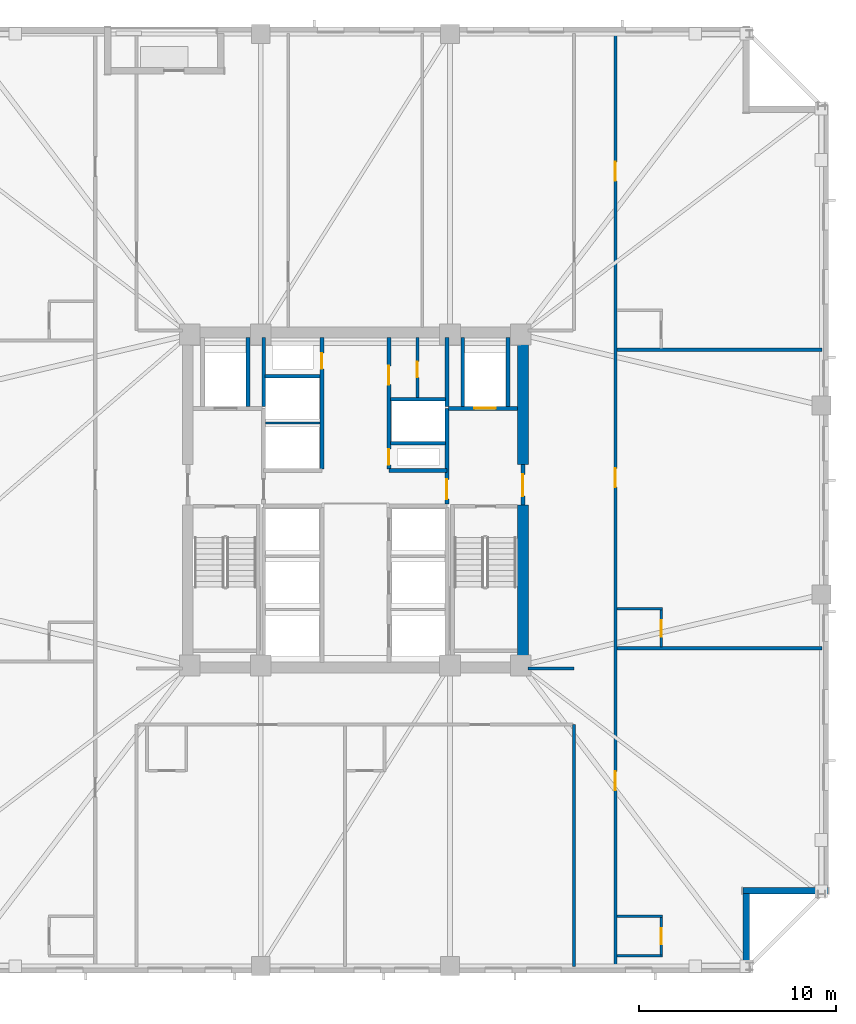
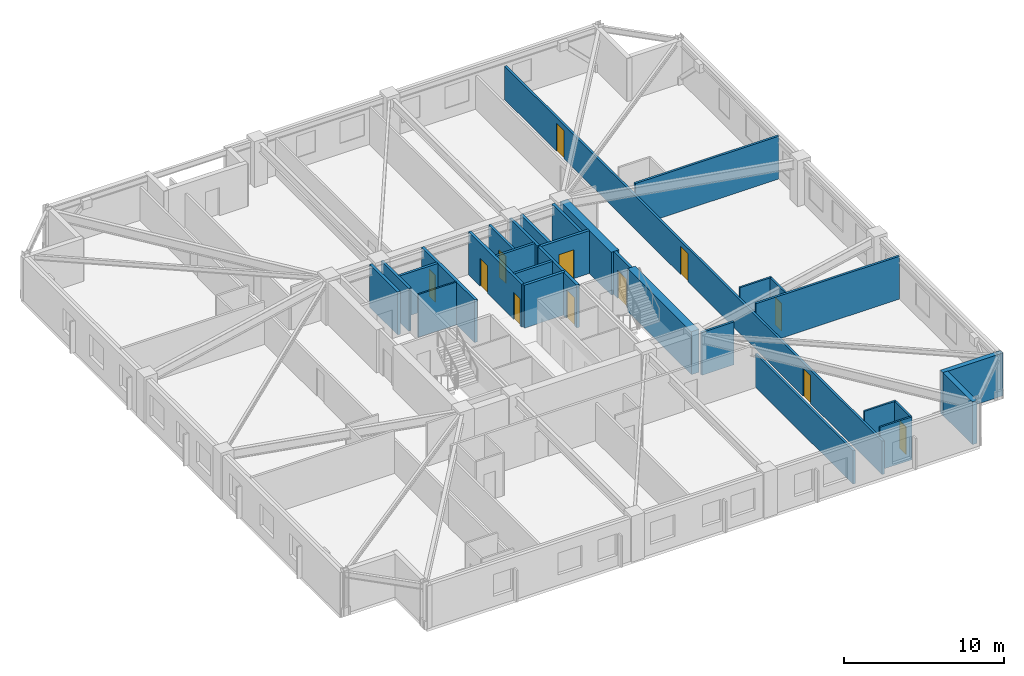
# One storey, part 4 of 11: 30 walls, 12 doors, 12 openings.
"""IFC4 building model written with IfcOpenShell, lengths in metres."""

from ifc_helpers import new_model, si_unit, direction, frame, frame_2d, origin, place, context, subcontext, project, spatial, rectangle, extrude, material, layer, layer_set, type_object, element, fill, save


model = new_model("IFC4")

# Units and contexts
model_context = context("Model", 3, precision=1e-05, world=origin(), true_north=direction((0.0, 1.0)))
body_context = subcontext(model_context, "Body", "Model", "MODEL_VIEW")
ifc_project = project(units=[si_unit("LENGTHUNIT", "METRE"), si_unit("AREAUNIT", "SQUARE_METRE"), si_unit("VOLUMEUNIT", "CUBIC_METRE"), si_unit("PLANEANGLEUNIT", "RADIAN"), si_unit("MASSUNIT", "GRAM", prefix="KILO")], contexts=[model_context])

# Site, building, storey
site_placement = place(None, origin())
site = spatial("IfcSite", under=ifc_project, at=site_placement, CompositionType="ELEMENT")
building_placement = place(site_placement, origin())
building = spatial("IfcBuilding", under=site, at=building_placement, Name="Cairnveth Concourse Tower", CompositionType="ELEMENT")
storey_placement = place(building_placement, frame((0.0, 0.0, 106.0)))
storey = spatial("IfcBuildingStorey", under=building, at=storey_placement, Name="L28", CompositionType="ELEMENT", Elevation=106.0)

# Wall, opening, door
ifc_material_1 = material(Name="Gypsum Plasterboard Partition", Category="gypsum")
ifc_layer_1 = layer(ifc_material_1, 0.159912109375)
ifc_layer_set_1 = layer_set([ifc_layer_1], Name="Gypsum Plasterboard Partition")
wall_type_1 = type_object("IfcWallType", Name="ACOUSTIC PARTY WALL 180", PredefinedType="PARTITIONING", material=ifc_layer_set_1)
wall_1_placement = place(storey_placement, frame((55.14990234375, 44.195068359375, 0.0), z_axis=(0.0, 0.0, 1.0), x_axis=(0.0, 1.0, 0.0)))
wall_1 = element("IfcWall", 1, at=wall_1_placement, inside=storey, type_object=wall_type_1, Name="Interior Wall IW-L28-037", PredefinedType="PARTITIONING", context=body_context, shape_type="SweptSolid", body=[
    extrude(rectangle(XDim=3.044921875, YDim=0.159912109375, at=frame_2d((1.5224609375, 0.0))), origin(), (0.0, 0.0, 1.0), 3.280029296875),
])
opening_1_placement = place(wall_1_placement, frame((1.02490234375, 0.0, 0.0)))
opening_1 = element("IfcOpeningElement", 2, at=opening_1_placement, cuts=wall_1, Name="Opening ID23", PredefinedType="OPENING", context=body_context, shape_type="SweptSolid", body=[
    extrude(rectangle(XDim=0.800048828125, YDim=2.10009765625, at=frame_2d((0.39990234375, 1.050048828125))), frame((0.0, 0.08984375, 0.0), z_axis=(0.0, -1.0, 0.0), x_axis=(1.0, 0.0, 0.0)), (0.0, 0.0, 1.0), 0.179931640625),
])
ifc_material_2 = material(Name="Steel Grade 350", Category="steel")
door_type_1 = type_object("IfcDoorType", Name="CORE SERVICE DOOR 800X2100", OperationType="NOTDEFINED", PredefinedType="DOOR", material=ifc_material_2)
door_1_placement = place(opening_1_placement, origin())
door_1 = element("IfcDoor", 3, at=door_1_placement, inside=storey, type_object=door_type_1, Name="NE Linen Closet Door L28", OperationType="SINGLE_SWING_LEFT", OverallHeight=2.10009765625, OverallWidth=0.800048828125, PredefinedType="DOOR", context=body_context, shape_type="SweptSolid", body=[
    extrude(rectangle(XDim=0.800048828125, YDim=2.10009765625, at=frame_2d((0.39990234375, 1.050048828125))), frame((0.0, 0.02490234375, 0.0), z_axis=(0.0, -1.0, 0.0), x_axis=(1.0, 0.0, 0.0)), (0.0, 0.0, 1.0), 0.050048828125),
])
fill(opening_1, door_1)

# Wall, openings, doors
wall_2_placement = place(storey_placement, frame((65.199951171875, 15.324951171875, 0.0), z_axis=(0.0, 0.0, 1.0), x_axis=(0.0, 1.0, 0.0)))
wall_2 = element("IfcWall", 4, at=wall_2_placement, inside=storey, type_object=wall_type_1, Name="Interior Wall IW-L28-043", PredefinedType="PARTITIONING", context=body_context, shape_type="SweptSolid", body=[
    extrude(rectangle(XDim=47.35009765625, YDim=0.159912109375, at=frame_2d((23.675048828125, 0.0))), origin(), (0.0, 0.0, 1.0), 2.554931640625),
])
opening_2_placement = place(wall_2_placement, frame((8.944091796875, 0.0, 0.0)))
opening_2 = element("IfcOpeningElement", 5, at=opening_2_placement, cuts=wall_2, Name="Opening ID09", PredefinedType="OPENING", context=body_context, shape_type="SweptSolid", body=[
    extrude(rectangle(XDim=0.9599609375, YDim=2.14990234375, at=frame_2d((0.47998046875, 1.074951171875))), frame((0.0, 0.08984375, 0.0), z_axis=(0.0, -1.0, 0.0), x_axis=(1.0, 0.0, 0.0)), (0.0, 0.0, 1.0), 0.179931640625),
])
opening_3_placement = place(wall_2_placement, frame((24.322021484375, 0.0, 0.0)))
opening_3 = element("IfcOpeningElement", 6, at=opening_3_placement, cuts=wall_2, Name="Opening ID09", PredefinedType="OPENING", context=body_context, shape_type="SweptSolid", body=[
    extrude(rectangle(XDim=0.9599609375, YDim=2.14990234375, at=frame_2d((0.47998046875, 1.074951171875))), frame((0.0, 0.08984375, 0.0), z_axis=(0.0, -1.0, 0.0), x_axis=(1.0, 0.0, 0.0)), (0.0, 0.0, 1.0), 0.179931640625),
])
opening_4_placement = place(wall_2_placement, frame((39.873046875, 0.0, 0.0)))
opening_4 = element("IfcOpeningElement", 7, at=opening_4_placement, cuts=wall_2, Name="Opening ID09", PredefinedType="OPENING", context=body_context, shape_type="SweptSolid", body=[
    extrude(rectangle(XDim=0.9599609375, YDim=2.14990234375, at=frame_2d((0.47998046875, 1.074951171875))), frame((0.0, 0.08984375, 0.0), z_axis=(0.0, -1.0, 0.0), x_axis=(1.0, 0.0, 0.0)), (0.0, 0.0, 1.0), 0.179931640625),
])
ifc_material_3 = material(Name="Solid Core Hardwood Timber Leaf", Category="wood")
door_type_2 = type_object("IfcDoorType", Name="HOTEL ENTRANCE DOOR 960X2150", OperationType="NOTDEFINED", PredefinedType="DOOR", material=ifc_material_3)
door_2_placement = place(opening_2_placement, origin())
door_2 = element("IfcDoor", 8, at=door_2_placement, inside=storey, type_object=door_type_2, Name="Hotel Room Door L28-E1", OperationType="SINGLE_SWING_RIGHT", OverallHeight=2.14990234375, OverallWidth=0.9599609375, PredefinedType="DOOR", context=body_context, shape_type="SweptSolid", body=[
    extrude(rectangle(XDim=0.9599609375, YDim=2.14990234375, at=frame_2d((0.47998046875, 1.074951171875))), frame((0.0, 0.02490234375, 0.0), z_axis=(0.0, -1.0, 0.0), x_axis=(1.0, 0.0, 0.0)), (0.0, 0.0, 1.0), 0.050048828125),
])
fill(opening_2, door_2)
door_3_placement = place(opening_3_placement, origin())
door_3 = element("IfcDoor", 9, at=door_3_placement, inside=storey, type_object=door_type_2, Name="Hotel Room Door L28-E2", OperationType="SINGLE_SWING_RIGHT", OverallHeight=2.14990234375, OverallWidth=0.9599609375, PredefinedType="DOOR", context=body_context, shape_type="SweptSolid", body=[
    extrude(rectangle(XDim=0.9599609375, YDim=2.14990234375, at=frame_2d((0.47998046875, 1.074951171875))), frame((0.0, 0.02490234375, 0.0), z_axis=(0.0, -1.0, 0.0), x_axis=(1.0, 0.0, 0.0)), (0.0, 0.0, 1.0), 0.050048828125),
])
fill(opening_3, door_3)
door_4_placement = place(opening_4_placement, origin())
door_4 = element("IfcDoor", 10, at=door_4_placement, inside=storey, type_object=door_type_2, Name="Hotel Room Door L28-E3", OperationType="SINGLE_SWING_RIGHT", OverallHeight=2.14990234375, OverallWidth=0.9599609375, PredefinedType="DOOR", context=body_context, shape_type="SweptSolid", body=[
    extrude(rectangle(XDim=0.9599609375, YDim=2.14990234375, at=frame_2d((0.47998046875, 1.074951171875))), frame((0.0, 0.02490234375, 0.0), z_axis=(0.0, -1.0, 0.0), x_axis=(1.0, 0.0, 0.0)), (0.0, 0.0, 1.0), 0.050048828125),
])
fill(opening_4, door_4)

# Walls
wall_3_placement = place(storey_placement, frame((63.10009765625, 15.324951171875, 0.0), z_axis=(0.0, 0.0, 1.0), x_axis=(0.0, 1.0, 0.0)))
element("IfcWall", 11, at=wall_3_placement, inside=storey, type_object=wall_type_1, Name="Interior Wall IW-L28-044", PredefinedType="PARTITIONING", context=body_context, shape_type="SweptSolid", body=[
    extrude(rectangle(XDim=12.275146484375, YDim=0.159912109375, at=frame_2d((6.1376953125, 0.0))), origin(), (0.0, 0.0, 1.0), 2.554931640625),
])
wall_4_placement = place(storey_placement, frame((60.764892578125, 30.449951171875, 0.0), z_axis=(0.0, 0.0, 1.0), x_axis=(1.0, 0.0, 0.0)))
element("IfcWall", 12, at=wall_4_placement, inside=storey, type_object=wall_type_1, Name="Interior Wall IW-L28-046", PredefinedType="PARTITIONING", context=body_context, shape_type="SweptSolid", body=[
    extrude(rectangle(XDim=2.335205078125, YDim=0.159912109375, at=frame_2d((1.16748046875, 0.0))), origin(), (0.0, 0.0, 1.0), 3.280029296875),
])
for number, where, z_axis, x_axis, name in (
    (13, (65.280029296875, 31.47802734375, 0.0), (0.0, 0.0, 1.0), (1.0, 0.0, 0.0), "Interior Wall IW-L28-069"),
    (14, (65.280029296875, 46.6259765625, 0.0), (0.0, 0.0, 1.0), (1.0, 0.0, 0.0), "Interior Wall IW-L28-072"),
):
    element("IfcWall", number, at=place(storey_placement, frame(where, z_axis=z_axis, x_axis=x_axis)), inside=storey, type_object=wall_type_1, Name=name, PredefinedType="PARTITIONING", context=body_context, shape_type="SweptSolid", body=[
        extrude(rectangle(XDim=10.39501953125, YDim=0.159912109375, at=frame_2d((5.197509765625, 0.0))), origin(), (0.0, 0.0, 1.0), 3.280029296875),
    ])
ifc_material_4 = material(Name="Concrete N80 (80 MPa)", Category="concrete")
ifc_layer_2 = layer(ifc_material_4, 0.550048828125)
ifc_layer_set_2 = layer_set([ifc_layer_2], Name="Concrete N80 (80 MPa)")
wall_type_2 = type_object("IfcWallType", Name="CORE SHEAR WALL 550", PredefinedType="SHEAR", material=ifc_layer_set_2)
wall_5_placement = place(storey_placement, frame((60.5, 30.764892578125, 0.0), z_axis=(0.0, 0.0, 1.0), x_axis=(0.0, 1.0, 0.0)))
element("IfcWall", 15, at=wall_5_placement, inside=storey, type_object=wall_type_2, Name="Core East Shear Wall S L28", PredefinedType="SHEAR", context=body_context, shape_type="SweptSolid", body=[
    extrude(rectangle(XDim=7.985107421875, YDim=0.550048828125, at=frame_2d((3.99267578125, 0.0))), origin(), (0.0, 0.0, 1.0), 3.280029296875),
])
wall_6_placement = place(storey_placement, frame((60.5, 40.800048828125, 0.0), z_axis=(0.0, 0.0, 1.0), x_axis=(0.0, 1.0, 0.0)))
element("IfcWall", 16, at=wall_6_placement, inside=storey, type_object=wall_type_2, Name="Core East Shear Wall N L28", PredefinedType="SHEAR", context=body_context, shape_type="SweptSolid", body=[
    extrude(rectangle(XDim=6.43505859375, YDim=0.550048828125, at=frame_2d((3.217529296875, 0.0))), origin(), (0.0, 0.0, 1.0), 3.280029296875),
])
ifc_material_5 = material(Name="Concrete N50 (50 MPa)", Category="concrete")
ifc_layer_3 = layer(ifc_material_5, 0.179931640625)
ifc_layer_set_3 = layer_set([ifc_layer_3], Name="Concrete N50 (50 MPa)")
wall_type_3 = type_object("IfcWallType", Name="FIRE SHAFT WALL 180", PredefinedType="SOLIDWALL", material=ifc_layer_set_3)
wall_7_placement = place(storey_placement, frame((47.35009765625, 43.735107421875, 0.0), z_axis=(0.0, 0.0, 1.0), x_axis=(0.0, 1.0, 0.0)))
element("IfcWall", 17, at=wall_7_placement, inside=storey, type_object=wall_type_3, Name="Interior Wall IW-L28-031", PredefinedType="SOLIDWALL", context=body_context, shape_type="SweptSolid", body=[
    extrude(rectangle(XDim=3.5048828125, YDim=0.179931640625, at=frame_2d((1.75244140625, 0.0))), origin(), (0.0, 0.0, 1.0), 3.280029296875),
])
wall_8_placement = place(storey_placement, frame((47.425048828125, 45.280029296875, 0.0), z_axis=(0.0, 0.0, 1.0), x_axis=(1.0, 0.0, 0.0)))
element("IfcWall", 18, at=wall_8_placement, inside=storey, type_object=wall_type_3, Name="Interior Wall IW-L28-033", PredefinedType="SOLIDWALL", context=body_context, shape_type="SweptSolid", body=[
    extrude(rectangle(XDim=2.7900390625, YDim=0.179931640625, at=frame_2d((1.39501953125, 0.0))), origin(), (0.0, 0.0, 1.0), 3.280029296875),
])
wall_9_placement = place(storey_placement, frame((56.64990234375, 43.735107421875, 0.0), z_axis=(0.0, 0.0, 1.0), x_axis=(0.0, 1.0, 0.0)))
element("IfcWall", 19, at=wall_9_placement, inside=storey, type_object=wall_type_3, Name="Interior Wall IW-L28-034", PredefinedType="SOLIDWALL", context=body_context, shape_type="SweptSolid", body=[
    extrude(rectangle(XDim=3.5048828125, YDim=0.179931640625, at=frame_2d((1.75244140625, 0.0))), origin(), (0.0, 0.0, 1.0), 3.280029296875),
])
wall_10_placement = place(storey_placement, frame((53.784912109375, 41.8798828125, 0.0), z_axis=(0.0, 0.0, 1.0), x_axis=(1.0, 0.0, 0.0)))
element("IfcWall", 20, at=wall_10_placement, inside=storey, type_object=wall_type_3, Name="Interior Wall IW-L28-035", PredefinedType="SOLIDWALL", context=body_context, shape_type="SweptSolid", body=[
    extrude(rectangle(XDim=2.780029296875, YDim=0.179931640625, at=frame_2d((1.39013671875, 0.0))), origin(), (0.0, 0.0, 1.0), 3.280029296875),
])
wall_11_placement = place(storey_placement, frame((53.784912109375, 44.1201171875, 0.0), z_axis=(0.0, 0.0, 1.0), x_axis=(1.0, 0.0, 0.0)))
element("IfcWall", 21, at=wall_11_placement, inside=storey, type_object=wall_type_3, Name="Interior Wall IW-L28-036", PredefinedType="SOLIDWALL", context=body_context, shape_type="SweptSolid", body=[
    extrude(rectangle(XDim=2.7900390625, YDim=0.179931640625, at=frame_2d((1.39501953125, 0.0))), origin(), (0.0, 0.0, 1.0), 3.280029296875),
])
ifc_layer_4 = layer(ifc_material_5, 0.199951171875)
ifc_layer_set_4 = layer_set([ifc_layer_4], Name="Concrete N50 (50 MPa)")
wall_type_4 = type_object("IfcWallType", Name="FIRE SHAFT WALL 200", PredefinedType="SOLIDWALL", material=ifc_layer_set_4)
wall_12_placement = place(storey_placement, frame((53.699951171875, 40.5, 0.0), z_axis=(0.0, 0.0, 1.0), x_axis=(1.0, 0.0, 0.0)))
element("IfcWall", 22, at=wall_12_placement, inside=storey, type_object=wall_type_4, Name="Interior Wall IW-L28-010", PredefinedType="SOLIDWALL", context=body_context, shape_type="SweptSolid", body=[
    extrude(rectangle(XDim=2.949951171875, YDim=0.199951171875, at=frame_2d((1.47509765625, 0.0))), origin(), (0.0, 0.0, 1.0), 3.280029296875),
])

# Wall, opening, door
wall_13_placement = place(storey_placement, frame((50.300048828125, 40.5849609375, 0.0), z_axis=(0.0, 0.0, 1.0), x_axis=(0.0, 1.0, 0.0)))
wall_13 = element("IfcWall", 23, at=wall_13_placement, inside=storey, type_object=wall_type_4, Name="Interior Wall IW-L28-013", PredefinedType="SOLIDWALL", context=body_context, shape_type="SweptSolid", body=[
    extrude(rectangle(XDim=6.655029296875, YDim=0.199951171875, at=frame_2d((3.32763671875, 0.0))), origin(), (0.0, 0.0, 1.0), 3.280029296875),
])
opening_5_placement = place(wall_13_placement, frame((5.06494140625, 0.0, 0.0)))
opening_5 = element("IfcOpeningElement", 24, at=opening_5_placement, cuts=wall_13, Name="Opening ID24", PredefinedType="OPENING", context=body_context, shape_type="SweptSolid", body=[
    extrude(rectangle(XDim=0.800048828125, YDim=2.080078125, at=frame_2d((0.39990234375, 1.0400390625))), frame((0.0, 0.10986328125, 0.0), z_axis=(0.0, -1.0, 0.0), x_axis=(1.0, 0.0, 0.0)), (0.0, 0.0, 1.0), 0.219970703125),
])
door_type_3 = type_object("IfcDoorType", Name="RISER ACCESS DOOR 800X2100", OperationType="NOTDEFINED", PredefinedType="DOOR", material=ifc_material_2)
door_5_placement = place(opening_5_placement, origin())
door_5 = element("IfcDoor", 25, at=door_5_placement, inside=storey, type_object=door_type_3, Name="NW Electrical Riser Access Door L28", OperationType="SINGLE_SWING_RIGHT", OverallHeight=2.080078125, OverallWidth=0.800048828125, PredefinedType="DOOR", context=body_context, shape_type="SweptSolid", body=[
    extrude(rectangle(XDim=0.800048828125, YDim=2.080078125, at=frame_2d((0.39990234375, 1.0400390625))), frame((0.0, 0.02490234375, 0.0), z_axis=(0.0, -1.0, 0.0), x_axis=(1.0, 0.0, 0.0)), (0.0, 0.0, 1.0), 0.050048828125),
])
fill(opening_5, door_5)

# Wall, openings, doors
wall_14_placement = place(storey_placement, frame((53.699951171875, 40.5849609375, 0.0), z_axis=(0.0, 0.0, 1.0), x_axis=(0.0, 1.0, 0.0)))
wall_14 = element("IfcWall", 26, at=wall_14_placement, inside=storey, type_object=wall_type_4, Name="Interior Wall IW-L28-014", PredefinedType="SOLIDWALL", context=body_context, shape_type="SweptSolid", body=[
    extrude(rectangle(XDim=6.655029296875, YDim=0.199951171875, at=frame_2d((3.32763671875, 0.0))), origin(), (0.0, 0.0, 1.0), 3.280029296875),
])
opening_6_placement = place(wall_14_placement, frame((0.195068359375, 0.0, 0.0)))
opening_6 = element("IfcOpeningElement", 27, at=opening_6_placement, cuts=wall_14, Name="Opening ID24", PredefinedType="OPENING", context=body_context, shape_type="SweptSolid", body=[
    extrude(rectangle(XDim=0.800048828125, YDim=2.080078125, at=frame_2d((0.39990234375, 1.0400390625))), frame((0.0, 0.10986328125, 0.0), z_axis=(0.0, -1.0, 0.0), x_axis=(1.0, 0.0, 0.0)), (0.0, 0.0, 1.0), 0.219970703125),
])
opening_7_placement = place(wall_14_placement, frame((4.264892578125, 0.0, 0.0)))
opening_7 = element("IfcOpeningElement", 28, at=opening_7_placement, cuts=wall_14, Name="Opening ID25", PredefinedType="OPENING", context=body_context, shape_type="SweptSolid", body=[
    extrude(rectangle(XDim=0.949951171875, YDim=2.1201171875, at=frame_2d((0.47509765625, 1.06005859375))), frame((0.0, 0.10986328125, 0.0), z_axis=(0.0, -1.0, 0.0), x_axis=(1.0, 0.0, 0.0)), (0.0, 0.0, 1.0), 0.219970703125),
])
door_type_4 = type_object("IfcDoorType", Name="CORE ACCESSIBLE FIRE DOOR 950X2120", OperationType="NOTDEFINED", PredefinedType="DOOR", material=ifc_material_2)
door_6_placement = place(opening_7_placement, origin())
door_6 = element("IfcDoor", 29, at=door_6_placement, inside=storey, type_object=door_type_4, Name="Core NE Restroom Door L28", OperationType="SINGLE_SWING_RIGHT", OverallHeight=2.1201171875, OverallWidth=0.949951171875, PredefinedType="DOOR", context=body_context, shape_type="SweptSolid", body=[
    extrude(rectangle(XDim=0.949951171875, YDim=2.1201171875, at=frame_2d((0.47509765625, 1.06005859375))), frame((0.0, 0.02490234375, 0.0), z_axis=(0.0, -1.0, 0.0), x_axis=(1.0, 0.0, 0.0)), (0.0, 0.0, 1.0), 0.050048828125),
])
fill(opening_7, door_6)
door_7_placement = place(opening_6_placement, origin())
door_7 = element("IfcDoor", 30, at=door_7_placement, inside=storey, type_object=door_type_3, Name="Hydraulic Riser Door L28", OperationType="SINGLE_SWING_LEFT", OverallHeight=2.080078125, OverallWidth=0.800048828125, PredefinedType="DOOR", context=body_context, shape_type="SweptSolid", body=[
    extrude(rectangle(XDim=0.800048828125, YDim=2.080078125, at=frame_2d((0.39990234375, 1.0400390625))), frame((0.0, 0.02490234375, 0.0), z_axis=(0.0, -1.0, 0.0), x_axis=(1.0, 0.0, 0.0)), (0.0, 0.0, 1.0), 0.050048828125),
])
fill(opening_6, door_7)

# Wall
wall_15_placement = place(storey_placement, frame((46.550048828125, 43.735107421875, 0.0), z_axis=(0.0, 0.0, 1.0), x_axis=(0.0, 1.0, 0.0)))
element("IfcWall", 31, at=wall_15_placement, inside=storey, type_object=wall_type_4, Name="Interior Wall IW-L28-018", PredefinedType="SOLIDWALL", context=body_context, shape_type="SweptSolid", body=[
    extrude(rectangle(XDim=3.5048828125, YDim=0.199951171875, at=frame_2d((1.75244140625, 0.0))), origin(), (0.0, 0.0, 1.0), 3.280029296875),
])

# Wall, opening, door
wall_16_placement = place(storey_placement, frame((60.5, 38.75, 0.0), z_axis=(0.0, 0.0, 1.0), x_axis=(0.0, 1.0, 0.0)))
wall_16 = element("IfcWall", 32, at=wall_16_placement, inside=storey, type_object=wall_type_4, Name="Interior Wall IW-L28-020", PredefinedType="SOLIDWALL", context=body_context, shape_type="SweptSolid", body=[
    extrude(rectangle(XDim=2.050048828125, YDim=0.199951171875, at=frame_2d((1.02490234375, 0.0))), origin(), (0.0, 0.0, 1.0), 3.280029296875),
])
opening_8_placement = place(wall_16_placement, frame((0.449951171875, 0.0, 0.0)))
opening_8 = element("IfcOpeningElement", 33, at=opening_8_placement, cuts=wall_16, Name="Opening ID06", PredefinedType="OPENING", context=body_context, shape_type="SweptSolid", body=[
    extrude(rectangle(XDim=1.10009765625, YDim=2.14990234375, at=frame_2d((0.550048828125, 1.074951171875))), frame((0.0, 0.10986328125, 0.0), z_axis=(0.0, -1.0, 0.0), x_axis=(1.0, 0.0, 0.0)), (0.0, 0.0, 1.0), 0.219970703125),
])
door_type_5 = type_object("IfcDoorType", Name="FIRE CORRIDOR DOOR 1100X2150", OperationType="NOTDEFINED", PredefinedType="DOOR", material=ifc_material_2)
door_8_placement = place(opening_8_placement, origin())
door_8 = element("IfcDoor", 34, at=door_8_placement, inside=storey, type_object=door_type_5, Name="East Wing to FF Lobby Door L28", OperationType="SINGLE_SWING_RIGHT", OverallHeight=2.14990234375, OverallWidth=1.10009765625, PredefinedType="DOOR", context=body_context, shape_type="SweptSolid", body=[
    extrude(rectangle(XDim=1.10009765625, YDim=2.14990234375, at=frame_2d((0.550048828125, 1.074951171875))), frame((0.0, 0.02490234375, 0.0), z_axis=(0.0, -1.0, 0.0), x_axis=(1.0, 0.0, 0.0)), (0.0, 0.0, 1.0), 0.050048828125),
])
fill(opening_8, door_8)

wall_17_placement = place(storey_placement, frame((56.64990234375, 38.784912109375, 0.0), z_axis=(0.0, 0.0, 1.0), x_axis=(0.0, 1.0, 0.0)))
wall_17 = element("IfcWall", 35, at=wall_17_placement, inside=storey, type_object=wall_type_4, Name="Interior Wall IW-L28-021", PredefinedType="SOLIDWALL", context=body_context, shape_type="SweptSolid", body=[
    extrude(rectangle(XDim=4.864990234375, YDim=0.199951171875, at=frame_2d((2.4326171875, 0.0))), origin(), (0.0, 0.0, 1.0), 3.280029296875),
])
opening_9_placement = place(wall_17_placement, frame((0.264892578125, 0.0, 0.0)))
opening_9 = element("IfcOpeningElement", 36, at=opening_9_placement, cuts=wall_17, Name="Opening ID07", PredefinedType="OPENING", context=body_context, shape_type="SweptSolid", body=[
    extrude(rectangle(XDim=1.0, YDim=2.14990234375, at=frame_2d((0.5, 1.074951171875))), frame((0.0, 0.10986328125, 0.0), z_axis=(0.0, -1.0, 0.0), x_axis=(1.0, 0.0, 0.0)), (0.0, 0.0, 1.0), 0.219970703125),
])
door_type_6 = type_object("IfcDoorType", Name="FIRE CORRIDOR DOOR 1000X2150", OperationType="NOTDEFINED", PredefinedType="DOOR", material=ifc_material_2)
door_9_placement = place(opening_9_placement, origin())
door_9 = element("IfcDoor", 37, at=door_9_placement, inside=storey, type_object=door_type_6, Name="FF Lobby East to Lift Lobby Door L28", OperationType="SINGLE_SWING_LEFT", OverallHeight=2.14990234375, OverallWidth=1.0, PredefinedType="DOOR", context=body_context, shape_type="SweptSolid", body=[
    extrude(rectangle(XDim=1.0, YDim=2.14990234375, at=frame_2d((0.5, 1.074951171875))), frame((0.0, 0.02490234375, 0.0), z_axis=(0.0, -1.0, 0.0), x_axis=(1.0, 0.0, 0.0)), (0.0, 0.0, 1.0), 0.050048828125),
])
fill(opening_9, door_9)

wall_18_placement = place(storey_placement, frame((56.735107421875, 43.64990234375, 0.0), z_axis=(0.0, 0.0, 1.0), x_axis=(1.0, 0.0, 0.0)))
wall_18 = element("IfcWall", 38, at=wall_18_placement, inside=storey, type_object=wall_type_4, Name="Interior Wall IW-L28-022", PredefinedType="SOLIDWALL", context=body_context, shape_type="SweptSolid", body=[
    extrude(rectangle(XDim=3.5048828125, YDim=0.199951171875, at=frame_2d((1.75244140625, 0.0))), origin(), (0.0, 0.0, 1.0), 3.280029296875),
])
opening_10_placement = place(wall_18_placement, frame((1.294921875, 0.0, 0.0)))
opening_10 = element("IfcOpeningElement", 39, at=opening_10_placement, cuts=wall_18, Name="Opening LD-1", PredefinedType="OPENING", context=body_context, shape_type="SweptSolid", body=[
    extrude(rectangle(XDim=1.10009765625, YDim=2.199951171875, at=frame_2d((0.550048828125, 1.10009765625))), frame((0.0, 0.10986328125, 0.0), z_axis=(0.0, -1.0, 0.0), x_axis=(1.0, 0.0, 0.0)), (0.0, 0.0, 1.0), 0.219970703125),
])
ifc_material_6 = material(Name="Architectural Bronze Anodised Aluminium 6063-T6", Category="aluminium")
door_type_7 = type_object("IfcDoorType", Name="LIFT LANDING DOOR 1100X2200", OperationType="SLIDING_TO_LEFT", PredefinedType="DOOR", material=ifc_material_6)
door_10_placement = place(opening_10_placement, origin())
door_10 = element("IfcDoor", 40, at=door_10_placement, inside=storey, type_object=door_type_7, Name="Lift FFL2 Landing Door L28", OperationType="SLIDING_TO_LEFT", OverallHeight=2.199951171875, OverallWidth=1.10009765625, PredefinedType="DOOR", context=body_context, shape_type="SweptSolid", body=[
    extrude(rectangle(XDim=1.10009765625, YDim=2.199951171875, at=frame_2d((0.550048828125, 1.10009765625))), frame((0.0, 0.02490234375, 0.0), z_axis=(0.0, -1.0, 0.0), x_axis=(1.0, 0.0, 0.0)), (0.0, 0.0, 1.0), 0.050048828125),
])
fill(opening_10, door_10)

# Walls
for number, where, z_axis, x_axis, name in (
    (41, (57.449951171875, 43.735107421875, 0.0), (0.0, 0.0, 1.0), (0.0, 1.0, 0.0), "Interior Wall IW-L28-023"),
    (42, (59.75, 43.735107421875, 0.0), (0.0, 0.0, 1.0), (0.0, 1.0, 0.0), "Interior Wall IW-L28-024"),
):
    element("IfcWall", number, at=place(storey_placement, frame(where, z_axis=z_axis, x_axis=x_axis)), inside=storey, type_object=wall_type_4, Name=name, PredefinedType="SOLIDWALL", context=body_context, shape_type="SweptSolid", body=[
        extrude(rectangle(XDim=3.5048828125, YDim=0.199951171875, at=frame_2d((1.75244140625, 0.0))), origin(), (0.0, 0.0, 1.0), 3.280029296875),
    ])
ifc_layer_5 = layer(ifc_material_1, 0.110107421875)
ifc_layer_set_5 = layer_set([ifc_layer_5], Name="Gypsum Plasterboard Partition")
wall_type_5 = type_object("IfcWallType", Name="SHAFT DIVIDER WALL 140", PredefinedType="PARTITIONING", material=ifc_layer_set_5)
wall_19_placement = place(storey_placement, frame((47.43505859375, 42.89990234375, 0.0), z_axis=(0.0, 0.0, 1.0), x_axis=(1.0, 0.0, 0.0)))
element("IfcWall", 43, at=wall_19_placement, inside=storey, type_object=wall_type_5, Name="Interior Wall IW-L28-032", PredefinedType="PARTITIONING", context=body_context, shape_type="SweptSolid", body=[
    extrude(rectangle(XDim=2.780029296875, YDim=0.110107421875, at=frame_2d((1.39013671875, 0.0))), origin(), (0.0, 0.0, 1.0), 3.280029296875),
])
ifc_layer_6 = layer(ifc_material_1, 0.1298828125)
ifc_layer_set_6 = layer_set([ifc_layer_6], Name="Gypsum Plasterboard Partition")
wall_type_6 = type_object("IfcWallType", Name="WET AREA PARTITION 140", PredefinedType="PLUMBINGWALL", material=ifc_layer_set_6)
for number, where, z_axis, x_axis, name in (
    (44, (65.264892578125, 15.8701171875, 0.0), (0.0, 0.0, 1.0), (1.0, 0.0, 0.0), "Interior Wall IW-L28-066"),
    (45, (65.264892578125, 17.8701171875, 0.0), (0.0, 0.0, 1.0), (1.0, 0.0, 0.0), "Interior Wall IW-L28-067"),
):
    element("IfcWall", number, at=place(storey_placement, frame(where, z_axis=z_axis, x_axis=x_axis)), inside=storey, type_object=wall_type_6, Name=name, PredefinedType="PLUMBINGWALL", context=body_context, shape_type="SweptSolid", body=[
        extrude(rectangle(XDim=2.315185546875, YDim=0.1298828125, at=frame_2d((1.15771484375, 0.0))), origin(), (0.0, 0.0, 1.0), 3.280029296875),
    ])

# Wall, opening, door
wall_20_placement = place(storey_placement, frame((67.530029296875, 15.919921875, 0.0), z_axis=(0.0, 0.0, 1.0), x_axis=(0.0, 1.0, 0.0)))
wall_20 = element("IfcWall", 46, at=wall_20_placement, inside=storey, type_object=wall_type_6, Name="Interior Wall IW-L28-068", PredefinedType="PLUMBINGWALL", context=body_context, shape_type="SweptSolid", body=[
    extrude(rectangle(XDim=1.900146484375, YDim=0.1298828125, at=frame_2d((0.9501953125, 0.0))), origin(), (0.0, 0.0, 1.0), 3.280029296875),
])
opening_11_placement = place(wall_20_placement, frame((0.5400390625, 0.0, 0.0)))
opening_11 = element("IfcOpeningElement", 47, at=opening_11_placement, cuts=wall_20, Name="Opening ID22", PredefinedType="OPENING", context=body_context, shape_type="SweptSolid", body=[
    extrude(rectangle(XDim=0.820068359375, YDim=2.10009765625, at=frame_2d((0.41015625, 1.050048828125))), frame((0.0, 0.074951171875, 0.0), z_axis=(0.0, -1.0, 0.0), x_axis=(1.0, 0.0, 0.0)), (0.0, 0.0, 1.0), 0.14990234375),
])
door_type_8 = type_object("IfcDoorType", Name="INTERIOR WC DOOR 820X2100", OperationType="NOTDEFINED", PredefinedType="DOOR", material=ifc_material_3)
door_11_placement = place(opening_11_placement, origin())
door_11 = element("IfcDoor", 48, at=door_11_placement, inside=storey, type_object=door_type_8, Name="En-Suite Door L28-E1", OperationType="SINGLE_SWING_LEFT", OverallHeight=2.10009765625, OverallWidth=0.820068359375, PredefinedType="DOOR", context=body_context, shape_type="SweptSolid", body=[
    extrude(rectangle(XDim=0.820068359375, YDim=2.10009765625, at=frame_2d((0.41015625, 1.050048828125))), frame((0.0, 0.02490234375, 0.0), z_axis=(0.0, -1.0, 0.0), x_axis=(1.0, 0.0, 0.0)), (0.0, 0.0, 1.0), 0.050048828125),
])
fill(opening_11, door_11)

# Wall
wall_21_placement = place(storey_placement, frame((65.264892578125, 33.47802734375, 0.0), z_axis=(0.0, 0.0, 1.0), x_axis=(1.0, 0.0, 0.0)))
element("IfcWall", 49, at=wall_21_placement, inside=storey, type_object=wall_type_6, Name="Interior Wall IW-L28-070", PredefinedType="PLUMBINGWALL", context=body_context, shape_type="SweptSolid", body=[
    extrude(rectangle(XDim=2.315185546875, YDim=0.1298828125, at=frame_2d((1.15771484375, 0.0))), origin(), (0.0, 0.0, 1.0), 3.280029296875),
])

# Wall, opening, door
wall_22_placement = place(storey_placement, frame((67.530029296875, 31.54296875, 0.0), z_axis=(0.0, 0.0, 1.0), x_axis=(0.0, 1.0, 0.0)))
wall_22 = element("IfcWall", 50, at=wall_22_placement, inside=storey, type_object=wall_type_6, Name="Interior Wall IW-L28-071", PredefinedType="PLUMBINGWALL", context=body_context, shape_type="SweptSolid", body=[
    extrude(rectangle(XDim=1.885009765625, YDim=0.1298828125, at=frame_2d((0.9423828125, 0.0))), origin(), (0.0, 0.0, 1.0), 3.280029296875),
])
opening_12_placement = place(wall_22_placement, frame((0.52490234375, 0.0, 0.0)))
opening_12 = element("IfcOpeningElement", 51, at=opening_12_placement, cuts=wall_22, Name="Opening ID22", PredefinedType="OPENING", context=body_context, shape_type="SweptSolid", body=[
    extrude(rectangle(XDim=0.820068359375, YDim=2.10009765625, at=frame_2d((0.41015625, 1.050048828125))), frame((0.0, 0.074951171875, 0.0), z_axis=(0.0, -1.0, 0.0), x_axis=(1.0, 0.0, 0.0)), (0.0, 0.0, 1.0), 0.14990234375),
])
door_12_placement = place(opening_12_placement, origin())
door_12 = element("IfcDoor", 52, at=door_12_placement, inside=storey, type_object=door_type_8, Name="En-Suite Door L28-E2", OperationType="SINGLE_SWING_LEFT", OverallHeight=2.10009765625, OverallWidth=0.820068359375, PredefinedType="DOOR", context=body_context, shape_type="SweptSolid", body=[
    extrude(rectangle(XDim=0.820068359375, YDim=2.10009765625, at=frame_2d((0.41015625, 1.050048828125))), frame((0.0, 0.02490234375, 0.0), z_axis=(0.0, -1.0, 0.0), x_axis=(1.0, 0.0, 0.0)), (0.0, 0.0, 1.0), 0.050048828125),
])
fill(opening_12, door_12)

# Walls
ifc_material_7 = material(Name="Hawthorn Red-Ochre Fired Clay Brick Masonry", Category="masonry")
ifc_layer_7 = layer(ifc_material_7, 0.340087890625)
ifc_layer_set_7 = layer_set([ifc_layer_7], Name="Hawthorn Red-Ochre Fired Clay Brick Masonry")
wall_type_7 = type_object("IfcWallType", Name="ZONE 2 BRICK PIER SPANDREL WALL 340", PredefinedType="SOLIDWALL", material=ifc_layer_set_7)
wall_23_placement = place(storey_placement, frame((76.0, 19.169921875, 0.0), z_axis=(0.0, 0.0, 1.0), x_axis=(-1.0, 0.0, 0.0)))
element("IfcWall", 53, at=wall_23_placement, inside=storey, type_object=wall_type_7, Name="Exterior Wall EW-L28-S04", PredefinedType="SOLIDWALL", context=body_context, shape_type="SweptSolid", body=[
    extrude(rectangle(XDim=4.340087890625, YDim=0.340087890625, at=frame_2d((2.169921875, 0.0))), origin(), (0.0, 0.0, 1.0), 3.280029296875),
])
wall_24_placement = place(storey_placement, frame((71.830078125, 19.02197265625, 0.0), z_axis=(0.0, 0.0, 1.0), x_axis=(0.0, -1.0, 0.0)))
element("IfcWall", 54, at=wall_24_placement, inside=storey, type_object=wall_type_7, Name="Exterior Wall EW-L28-S05", PredefinedType="SOLIDWALL", context=body_context, shape_type="SweptSolid", body=[
    extrude(rectangle(XDim=3.703857421875, YDim=0.340087890625, at=frame_2d((1.85205078125, 0.0))), origin(), (0.0, 0.0, 1.0), 3.280029296875),
])

save(model, "model.ifc")
